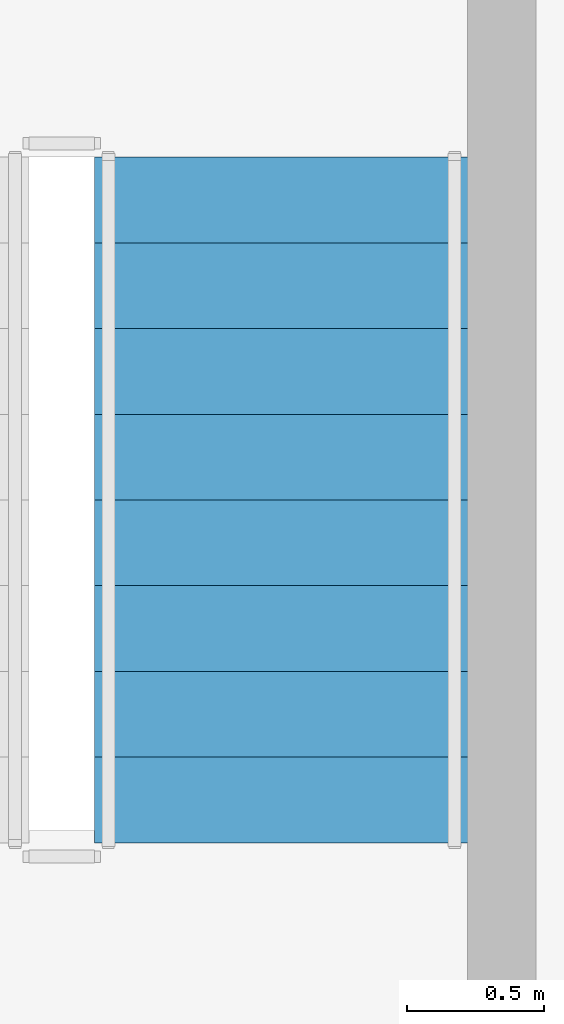
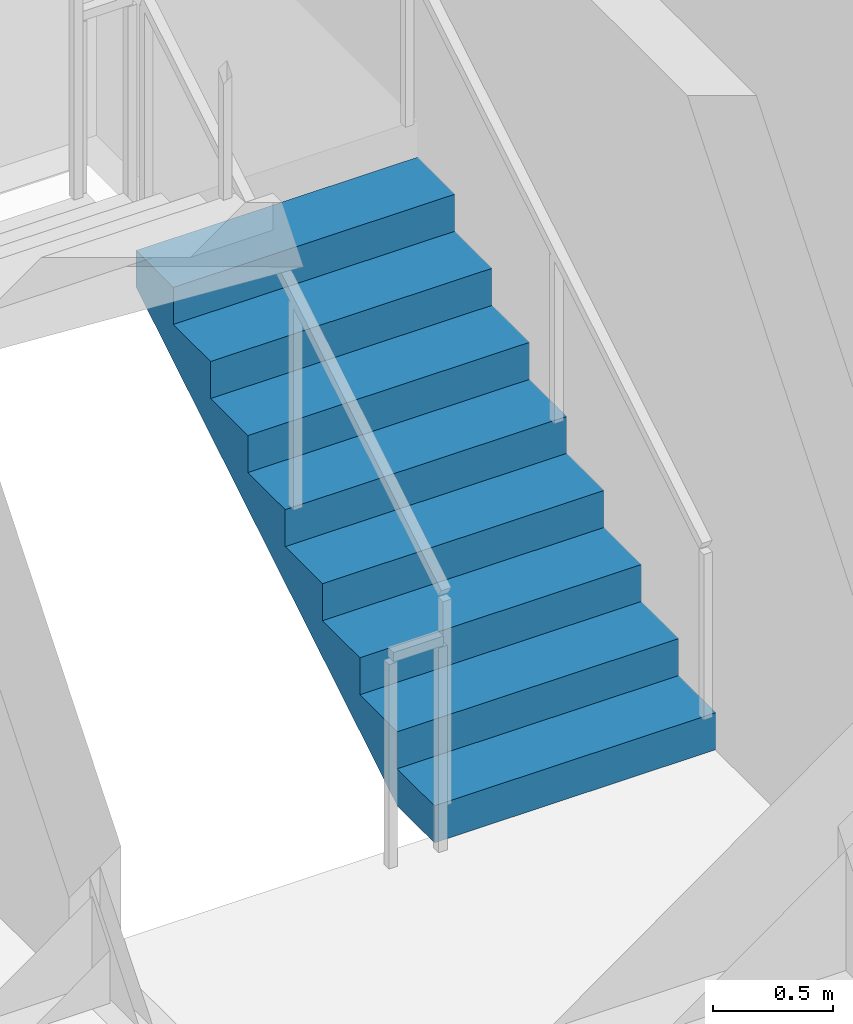
# One storey, part 10 of 13: 1 stair flight, 1 element without a shape of its own.
"""IFC4 building model written with IfcOpenShell, lengths in metres."""

from ifc_helpers import new_model, si_unit, direction, frame, origin, place, context, subcontext, project, spatial, polyline, outline, extrude, material, type_object, element, aggregate, save


model = new_model("IFC4")

# Units and contexts
model_context = context("Model", 3, precision=1e-05, world=origin(), true_north=direction((0.0, 1.0)))
body_context = subcontext(model_context, "Body", "Model", "MODEL_VIEW")
ifc_project = project(units=[si_unit("LENGTHUNIT", "METRE"), si_unit("AREAUNIT", "SQUARE_METRE"), si_unit("VOLUMEUNIT", "CUBIC_METRE"), si_unit("PLANEANGLEUNIT", "RADIAN"), si_unit("MASSUNIT", "GRAM", prefix="KILO")], contexts=[model_context])

# Site, building, storey
site_placement = place(None, origin())
site = spatial("IfcSite", under=ifc_project, at=site_placement, CompositionType="ELEMENT")
building_placement = place(site_placement, origin())
building = spatial("IfcBuilding", under=site, at=building_placement, Name="Keilestroom Media Tower", CompositionType="ELEMENT")
storey_placement = place(building_placement, frame((0.0, 0.0, 107.39990234375)))
storey = spatial("IfcBuildingStorey", under=building, at=storey_placement, Name="L28", CompositionType="ELEMENT", Elevation=107.39990234375)

# Stair, stair flight
ifc_material_1 = material(Name="Concrete C45/55", Category="concrete")
stair_type = type_object("IfcStairType", Name="Enclosed-Dog-Leg-Stair-ST-CORE", PredefinedType="HALF_TURN_STAIR", material=ifc_material_1)
stair_placement = place(storey_placement, origin())
stair = element("IfcStair", 1, at=stair_placement, inside=storey, type_object=stair_type, Name="L28 East Core Escape Stair ST-2", PredefinedType="HALF_TURN_STAIR")
ifc_material_2 = material(Name="Precast concrete C40/50", Category="concrete")
stair_flight_type = type_object("IfcStairFlightType", Name="Precast-Concrete-Stair-Flight-Core-160", PredefinedType="STRAIGHT", material=ifc_material_2)
stair_flight_placement = place(storey_placement, frame((10.580078125, 1.5, 0.0), z_axis=(0.0, 0.0, 1.0), x_axis=(0.0, 1.0, 0.0)))
stair_flight = element("IfcStairFlight", 2, at=stair_flight_placement, type_object=stair_flight_type, Name="ST-2 flight 1", NumberOfRisers=9, NumberOfTreads=8, PredefinedType="STRAIGHT", RiserHeight=0.188888889, TreadLength=0.312, context=body_context, shape_type="SweptSolid", body=[
    extrude(outline(polyline([(0.0, 0.0), (0.0, 0.18896484375), (0.31201171875, 0.18896484375), (0.31201171875, 0.377685546875), (0.6240234375, 0.377685546875), (0.6240234375, 0.566650390625), (0.93603515625, 0.566650390625), (0.93603515625, 0.755615234375), (1.248046875, 0.755615234375), (1.248046875, 0.9443359375), (1.56005859375, 0.9443359375), (1.56005859375, 1.13330078125), (1.8720703125, 1.13330078125), (1.8720703125, 1.322265625), (2.18408203125, 1.322265625), (2.18408203125, 1.51123046875), (2.49609375, 1.51123046875), (2.49609375, 1.699951171875), (2.49609375, 1.32421875), (0.308837890625, 0.0), (0.0, 0.0)])), frame((0.0, 0.68017578125, 0.0), z_axis=(0.0, -1.0, 0.0), x_axis=(1.0, 0.0, 0.0)), (0.0, 0.0, 1.0), 1.360107421875),
])
aggregate(stair, [stair_flight])

save(model, "model.ifc")
